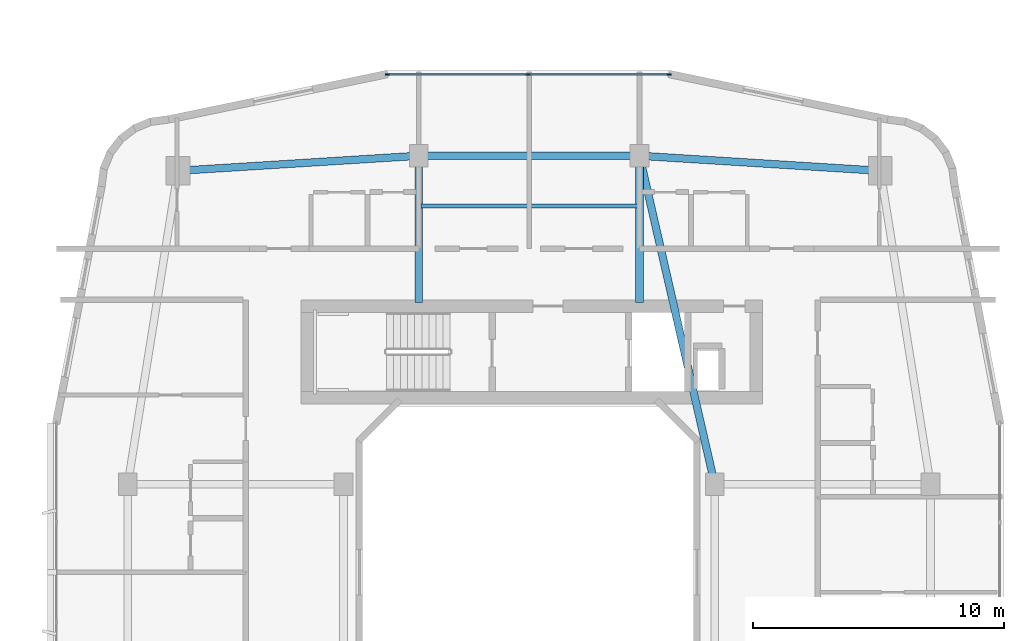
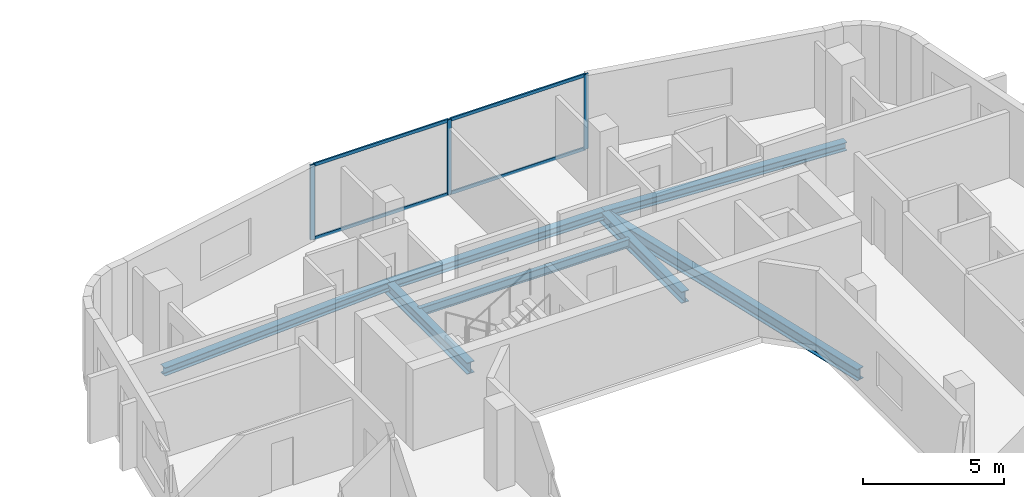
# One storey, part 11 of 26: 7 beams, 7 members, 1 element without a shape of its own.
"""IFC4 building model written with IfcOpenShell, lengths in metres."""

from ifc_helpers import new_model, si_unit, derived_unit, direction, frame, origin, origin_2d, place, context, subcontext, project, spatial, rectangle, i_section, extrude, material, layer, layer_set, material_profile, profile_set, type_object, element, aggregate, save


model = new_model("IFC4")

# Units and contexts
model_context = context("Model", 3, precision=1e-05, world=origin(), true_north=direction((0.0, 1.0)))
body_context = subcontext(model_context, "Body", "Model", "MODEL_VIEW")
ifc_project = project(units=[si_unit("LENGTHUNIT", "METRE"), si_unit("AREAUNIT", "SQUARE_METRE"), si_unit("VOLUMEUNIT", "CUBIC_METRE"), si_unit("PLANEANGLEUNIT", "RADIAN"), si_unit("MASSUNIT", "GRAM", prefix="KILO"), derived_unit("THERMALTRANSMITTANCEUNIT", [(si_unit("POWERUNIT", "WATT"), 1), (si_unit("LENGTHUNIT", "METRE"), -2), (si_unit("THERMODYNAMICTEMPERATUREUNIT", "KELVIN"), -1)])], contexts=[model_context])

# Site, building, storey
site_placement = place(None, origin())
site = spatial("IfcSite", under=ifc_project, at=site_placement, CompositionType="ELEMENT")
building_placement = place(site_placement, origin())
building = spatial("IfcBuilding", under=site, at=building_placement, Name="Kivonza Crest Hotel", CompositionType="ELEMENT")
storey_placement = place(building_placement, frame((0.0, 0.0, 62.5)))
storey = spatial("IfcBuildingStorey", under=building, at=storey_placement, Name="L16", CompositionType="ELEMENT", Elevation=62.5)

# Beams
ifc_material_1 = material(Name="Steel S355", Category="steel")
ifc_material_profile_1 = material_profile(ifc_material_1, i_section(OverallWidth=0.300048828125, OverallDepth=0.360107421875, WebThickness=0.012451171875, FlangeThickness=0.0224609375, FilletRadius=0.027099609375, at=origin_2d()), Name="HEB 360")
ifc_profile_set_1 = profile_set([ifc_material_profile_1], Name="Steel S355")
beam_type_1 = type_object("IfcBeamType", Name="BM-HEB360", PredefinedType="SPANDREL", material=ifc_profile_set_1)
beam_1_placement = place(storey_placement, frame((91.0, 41.0, -0.429931640625), z_axis=(-0.998051985873, 0.062387767186, 0.0), x_axis=(-0.062387767186, -0.998051985873, 0.0)))
element("IfcBeam", 1, at=beam_1_placement, inside=storey, type_object=beam_type_1, Name="Companion Tower T2 L16 perimeter spandrel NE-N2", PredefinedType="SPANDREL", context=body_context, shape_type="SweptSolid", body=[
    extrude(i_section(OverallWidth=0.300048828125, OverallDepth=0.360107421875, WebThickness=0.012451171875, FlangeThickness=0.0224609375, FilletRadius=0.027099609375, at=origin_2d()), origin(), (0.0, 0.0, 1.0), 9.618896484375),
])
beam_2_placement = place(storey_placement, frame((81.39990234375, 41.60009765625, -0.429931640625), z_axis=(-1.0, 0.0, 0.0), x_axis=(0.0, -1.0, 0.0)))
element("IfcBeam", 2, at=beam_2_placement, inside=storey, type_object=beam_type_1, Name="Companion Tower T2 L16 perimeter spandrel N2-N1", PredefinedType="SPANDREL", context=body_context, shape_type="SweptSolid", body=[
    extrude(i_section(OverallWidth=0.300048828125, OverallDepth=0.360107421875, WebThickness=0.012451171875, FlangeThickness=0.0224609375, FilletRadius=0.027099609375, at=origin_2d()), origin(), (0.0, 0.0, 1.0), 8.7998046875),
])
beam_3_placement = place(storey_placement, frame((72.60009765625, 41.60009765625, -0.429931640625), z_axis=(-0.998051985873, -0.062387767186, 0.0), x_axis=(0.062387767186, -0.998051985873, 0.0)))
element("IfcBeam", 3, at=beam_3_placement, inside=storey, type_object=beam_type_1, Name="Companion Tower T2 L16 perimeter spandrel N1-NW", PredefinedType="SPANDREL", context=body_context, shape_type="SweptSolid", body=[
    extrude(i_section(OverallWidth=0.300048828125, OverallDepth=0.360107421875, WebThickness=0.012451171875, FlangeThickness=0.0224609375, FilletRadius=0.027099609375, at=origin_2d()), origin(), (0.0, 0.0, 1.0), 9.618896484375),
])
ifc_material_profile_2 = material_profile(ifc_material_1, i_section(OverallWidth=0.300048828125, OverallDepth=0.5, WebThickness=0.014404296875, FlangeThickness=0.028076171875, FilletRadius=0.027099609375, at=origin_2d()), Name="HEB 500")
ifc_profile_set_2 = profile_set([ifc_material_profile_2], Name="Steel S355")
beam_type_2 = type_object("IfcBeamType", Name="BM-HEB500", PredefinedType="BEAM", material=ifc_profile_set_2)
beam_4_placement = place(storey_placement, frame((84.39990234375, 28.5, -0.5), z_axis=(-0.223227287589, 0.974766422317, 0.0), x_axis=(-0.974766422317, -0.223227287589, 0.0)))
element("IfcBeam", 4, at=beam_4_placement, inside=storey, type_object=beam_type_2, Name="Companion Tower T2 L16 girder WR2-N2", PredefinedType="BEAM", context=body_context, shape_type="SweptSolid", body=[
    extrude(i_section(OverallWidth=0.300048828125, OverallDepth=0.5, WebThickness=0.014404296875, FlangeThickness=0.028076171875, FilletRadius=0.027099609375, at=origin_2d()), origin(), (0.0, 0.0, 1.0), 13.439208984375),
])
for number, where, z_axis, x_axis, name in (
    (5, (72.60009765625, 41.60009765625, -0.5), (0.0, -1.0, 0.0), (1.0, 0.0, 0.0), "Companion T2 L16 radial core girder RN1"),
    (6, (81.39990234375, 41.60009765625, -0.5), (0.0, -1.0, 0.0), (1.0, 0.0, 0.0), "Companion T2 L16 radial core girder RN2"),
):
    element("IfcBeam", number, at=place(storey_placement, frame(where, z_axis=z_axis, x_axis=x_axis)), inside=storey, type_object=beam_type_2, Name=name, PredefinedType="BEAM", context=body_context, shape_type="SweptSolid", body=[
        extrude(i_section(OverallWidth=0.300048828125, OverallDepth=0.5, WebThickness=0.014404296875, FlangeThickness=0.028076171875, FilletRadius=0.027099609375, at=origin_2d()), origin(), (0.0, 0.0, 1.0), 5.85009765625),
    ])
ifc_material_profile_3 = material_profile(ifc_material_1, i_section(OverallWidth=0.169921875, OverallDepth=0.360107421875, WebThickness=0.008056640625, FlangeThickness=0.0126953125, FilletRadius=0.01806640625, at=origin_2d()), Name="IPE 360")
ifc_profile_set_3 = profile_set([ifc_material_profile_3], Name="Steel S355")
beam_type_3 = type_object("IfcBeamType", Name="BM-IPE360", PredefinedType="JOIST", material=ifc_profile_set_3)
beam_5_placement = place(storey_placement, frame((72.679931640625, 39.60009765625, -0.429931640625), z_axis=(1.0, 0.0, 0.0), x_axis=(0.0, 1.0, 0.0)))
element("IfcBeam", 7, at=beam_5_placement, inside=storey, type_object=beam_type_3, Name="Companion Tower T2 L16 North floor joist", PredefinedType="JOIST", context=body_context, shape_type="SweptSolid", body=[
    extrude(i_section(OverallWidth=0.169921875, OverallDepth=0.360107421875, WebThickness=0.008056640625, FlangeThickness=0.0126953125, FilletRadius=0.01806640625, at=origin_2d()), origin(), (0.0, 0.0, 1.0), 8.64013671875),
])

# Curtain wall, members
ifc_material_2 = material(Name="Anodised bronze aluminium and low-E double glazing", Category="aluminium")
ifc_layer = layer(ifc_material_2, 0.179931640625)
ifc_layer_set = layer_set([ifc_layer], Name="Anodised bronze aluminium and low-E double glazing")
curtain_wall_type = type_object("IfcCurtainWallType", Name="CW-SYS-4", PredefinedType="NOTDEFINED", material=ifc_layer_set)
curtain_wall_placement = place(storey_placement, origin())
curtain_wall = element("IfcCurtainWall", 8, at=curtain_wall_placement, inside=storey, type_object=curtain_wall_type, Name="L16 unitised curtain wall CW-T2-L16-26", PredefinedType="NOTDEFINED")
ifc_material_3 = material(Name="Anodised bronze aluminium", Category="aluminium")
ifc_material_profile_4 = material_profile(ifc_material_3, rectangle(XDim=0.06494140625, YDim=0.179931640625, at=origin_2d()), Name="CW-M 65x180")
ifc_profile_set_4 = profile_set([ifc_material_profile_4], Name="Anodised bronze aluminium")
member_type_1 = type_object("IfcMemberType", Name="CW-MUL-65x180", PredefinedType="MULLION", material=ifc_profile_set_4)
member_1_placement = place(storey_placement, frame((82.575439453125, 44.840087890625, 0.0), z_axis=(0.0, 0.0, 1.0), x_axis=(0.0, -1.0, 0.0)))
member_1 = element("IfcMember", 9, at=member_1_placement, type_object=member_type_1, Name="CW-4 mullion 1", PredefinedType="MULLION", context=body_context, shape_type="SweptSolid", body=[
    extrude(rectangle(XDim=0.06494140625, YDim=0.179931640625, at=origin_2d()), origin(), (0.0, 0.0, 1.0), 3.25),
])
member_2_placement = place(storey_placement, frame((76.9599609375, 44.840087890625, 0.0), z_axis=(0.0, 0.0, 1.0), x_axis=(0.0, -1.0, 0.0)))
member_2 = element("IfcMember", 10, at=member_2_placement, type_object=member_type_1, Name="CW-4 mullion 2", PredefinedType="MULLION", context=body_context, shape_type="SweptSolid", body=[
    extrude(rectangle(XDim=0.06494140625, YDim=0.179931640625, at=origin_2d()), origin(), (0.0, 0.0, 1.0), 3.25),
])
member_3_placement = place(storey_placement, frame((71.344482421875, 44.840087890625, 0.0), z_axis=(0.0, 0.0, 1.0), x_axis=(0.0, -1.0, 0.0)))
member_3 = element("IfcMember", 11, at=member_3_placement, type_object=member_type_1, Name="CW-4 mullion 3", PredefinedType="MULLION", context=body_context, shape_type="SweptSolid", body=[
    extrude(rectangle(XDim=0.06494140625, YDim=0.179931640625, at=origin_2d()), origin(), (0.0, 0.0, 1.0), 3.25),
])
ifc_material_profile_5 = material_profile(ifc_material_3, rectangle(XDim=0.06494140625, YDim=0.139892578125, at=origin_2d()), Name="CW-T 65x140")
ifc_profile_set_5 = profile_set([ifc_material_profile_5], Name="Anodised bronze aluminium")
member_type_2 = type_object("IfcMemberType", Name="CW-TRN-65x140", PredefinedType="USERDEFINED", material=ifc_profile_set_5)
member_4_placement = place(storey_placement, frame((82.54296875, 44.840087890625, 0.032470703125), z_axis=(-1.0, 0.0, 0.0), x_axis=(0.0, -1.0, 0.0)))
member_4 = element("IfcMember", 12, at=member_4_placement, type_object=member_type_2, Name="CW-4 transom 1.1", ObjectType="TRANSOM", PredefinedType="USERDEFINED", context=body_context, shape_type="SweptSolid", body=[
    extrude(rectangle(XDim=0.06494140625, YDim=0.139892578125, at=origin_2d()), origin(), (0.0, 0.0, 1.0), 5.550537109375),
])
member_5_placement = place(storey_placement, frame((82.54296875, 44.840087890625, 3.217529296875), z_axis=(-1.0, 0.0, 0.0), x_axis=(0.0, -1.0, 0.0)))
member_5 = element("IfcMember", 13, at=member_5_placement, type_object=member_type_2, Name="CW-4 transom 1.2", ObjectType="TRANSOM", PredefinedType="USERDEFINED", context=body_context, shape_type="SweptSolid", body=[
    extrude(rectangle(XDim=0.06494140625, YDim=0.139892578125, at=origin_2d()), origin(), (0.0, 0.0, 1.0), 5.550537109375),
])
member_6_placement = place(storey_placement, frame((76.927490234375, 44.840087890625, 0.032470703125), z_axis=(-1.0, 0.0, 0.0), x_axis=(0.0, -1.0, 0.0)))
member_6 = element("IfcMember", 14, at=member_6_placement, type_object=member_type_2, Name="CW-4 transom 2.1", ObjectType="TRANSOM", PredefinedType="USERDEFINED", context=body_context, shape_type="SweptSolid", body=[
    extrude(rectangle(XDim=0.06494140625, YDim=0.139892578125, at=origin_2d()), origin(), (0.0, 0.0, 1.0), 5.550537109375),
])
member_7_placement = place(storey_placement, frame((76.927490234375, 44.840087890625, 3.217529296875), z_axis=(-1.0, 0.0, 0.0), x_axis=(0.0, -1.0, 0.0)))
member_7 = element("IfcMember", 15, at=member_7_placement, type_object=member_type_2, Name="CW-4 transom 2.2", ObjectType="TRANSOM", PredefinedType="USERDEFINED", context=body_context, shape_type="SweptSolid", body=[
    extrude(rectangle(XDim=0.06494140625, YDim=0.139892578125, at=origin_2d()), origin(), (0.0, 0.0, 1.0), 5.550537109375),
])
aggregate(curtain_wall, [member_1, member_2, member_3, member_4, member_5, member_6, member_7])

save(model, "model.ifc")
